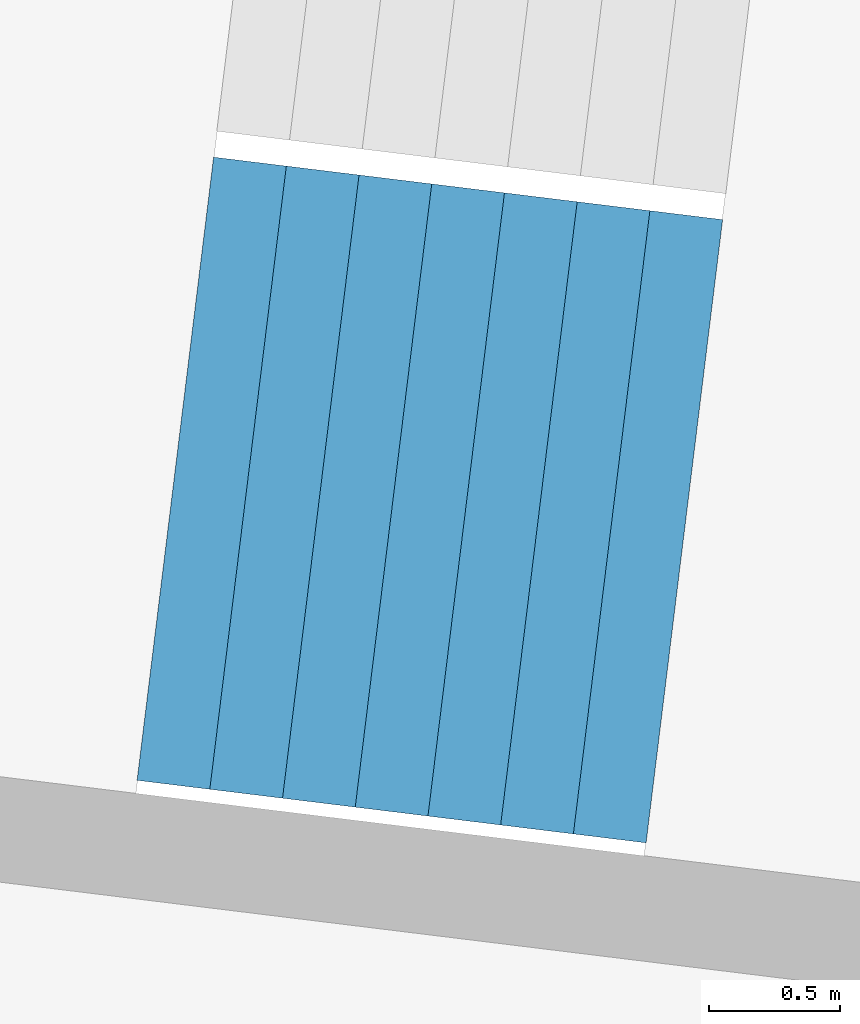
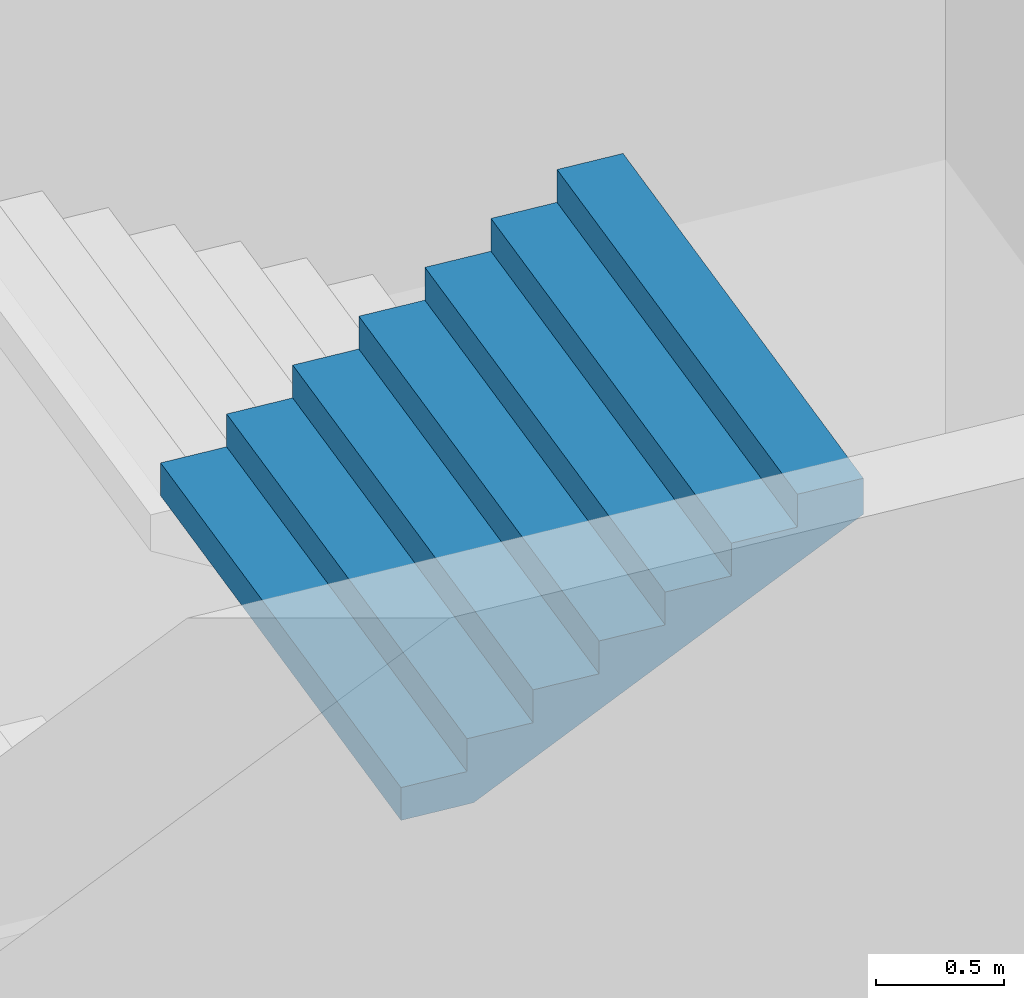
# One storey, part 28 of 73: 1 stair flight, 1 element without a shape of its own.
"""IFC4 building model written with IfcOpenShell, lengths in metres."""

import ifcopenshell
import ifcopenshell.guid

model = None  # the IFC model being written
_history = None  # IfcOwnerHistory: only IFC2X3 demands one
_inside = {}  # id of a spatial element -> (the spatial element, [elements in it])
_under = {}  # id of a project, library or spatial element -> (it, [spatial elements below it])
_declared = {}  # id of a project -> (the project, [libraries it declares])
_typed = {}  # id of a type object -> (the type object, [elements of that type])
_made_of = {}  # id of a material, layer set ... -> (it, [elements and type objects made of it])


def new_model(schema):
    """Start an empty IFC model of exactly this schema.

    Asked for "IFC4X3", IfcOpenShell would pick the latest addendum, in which some entities
    have other attributes; the version numbers below select the first issue.
    IFC2X3 requires an IfcOwnerHistory on every rooted entity: one is made here for all.
    """
    global model, _history
    if schema == "IFC4X3":
        model = ifcopenshell.file(schema_version=(4, 3, 0, 0))
    else:
        model = ifcopenshell.file(schema=schema)
    _inside.clear()
    _under.clear()
    _declared.clear()
    _typed.clear()
    _made_of.clear()
    _history = None
    if model.schema == "IFC2X3":
        org = make("IfcOrganization", Name="unknown")
        user = make(
            "IfcPersonAndOrganization",
            ThePerson=make("IfcPerson", FamilyName="unknown"),
            TheOrganization=org,
        )
        app = make(
            "IfcApplication",
            ApplicationDeveloper=org,
            Version="unknown",
            ApplicationFullName="unknown",
            ApplicationIdentifier="unknown",
        )
        _history = make(
            "IfcOwnerHistory",
            OwningUser=user,
            OwningApplication=app,
            ChangeAction="ADDED",
            CreationDate=0,
        )
    return model


def make(cls, **values):
    """One entity of the class cls with the attributes given. An attribute that is None is left unset."""
    return model.create_entity(
        cls, **{name: value for name, value in values.items() if value is not None}
    )


def rooted(cls, **values):
    """An entity with a GlobalId (a new one), such as an element, a storey or a relation."""
    return make(cls, GlobalId=ifcopenshell.guid.new(), OwnerHistory=_history, **values)


def si_unit(unit_type, name, prefix=None):
    """IfcSIUnit, for example si_unit("LENGTHUNIT", "METRE", prefix="MILLI")."""
    return make("IfcSIUnit", UnitType=unit_type, Prefix=prefix, Name=name)


def assignment(units):
    """IfcUnitAssignment: the units of a project."""
    return None if units is None else make("IfcUnitAssignment", Units=units)


def point(xyz):
    """IfcCartesianPoint."""
    return None if xyz is None else make("IfcCartesianPoint", Coordinates=xyz)


def direction(xyz):
    """IfcDirection."""
    return None if xyz is None else make("IfcDirection", DirectionRatios=xyz)


def frame(location, z_axis=None, x_axis=None):
    """IfcAxis2Placement3D, a coordinate frame: its origin and axes. An axis left out is left unset."""
    return make(
        "IfcAxis2Placement3D",
        Location=point(location),
        Axis=direction(z_axis),
        RefDirection=direction(x_axis),
    )


def origin():
    """The frame at (0, 0, 0) with its axes left unset."""
    return frame((0.0, 0.0, 0.0))


def place(relative_to, where):
    """IfcLocalPlacement: puts the frame where relative to a parent placement (None: the world)."""
    return make(
        "IfcLocalPlacement", PlacementRelTo=relative_to, RelativePlacement=where
    )


def context(
    kind, dimensions, precision=None, world=None, true_north=None, identifier=None
):
    """IfcGeometricRepresentationContext, for example the 3D "Model" context."""
    return make(
        "IfcGeometricRepresentationContext",
        ContextIdentifier=identifier,
        ContextType=kind,
        CoordinateSpaceDimension=dimensions,
        Precision=precision,
        WorldCoordinateSystem=world,
        TrueNorth=true_north,
    )


def subcontext(parent, identifier, kind, view, scale=None):
    """IfcGeometricRepresentationSubContext, for example "Body" below "Model"."""
    return make(
        "IfcGeometricRepresentationSubContext",
        ContextIdentifier=identifier,
        ContextType=kind,
        ParentContext=parent,
        TargetScale=scale,
        TargetView=view,
    )


def project(units=None, contexts=None):
    """IfcProject with its units and contexts."""
    return rooted(
        "IfcProject",
        Name="project",
        RepresentationContexts=contexts,
        UnitsInContext=assignment(units),
    )


def spatial(cls, under=None, at=None, **own):
    """A site, building, storey or space (cls), placed at a placement, below another one or the project."""
    s = rooted(cls, ObjectPlacement=at, **own)
    if under is not None:
        _under.setdefault(under.id(), (under, []))[1].append(s)
    return s


def point_list(points):
    """IfcCartesianPointList2D or 3D."""
    cls = (
        "IfcCartesianPointList2D" if len(points[0]) == 2 else "IfcCartesianPointList3D"
    )
    return make(cls, CoordList=points)


def triangles(points, corners, closed=None, point_numbers=None):
    """IfcTriangulatedFaceSet: each triangle names its three corners, points numbered from 1."""
    return make(
        "IfcTriangulatedFaceSet",
        Coordinates=point_list(points),
        Closed=closed,
        CoordIndex=corners,
        PnIndex=point_numbers,
    )


def shape(context_of_items, identifier, shape_type, items):
    """IfcShapeRepresentation: the items that make up one representation, for example the "Body"."""
    return make(
        "IfcShapeRepresentation",
        ContextOfItems=context_of_items,
        RepresentationIdentifier=identifier,
        RepresentationType=shape_type,
        Items=items,
    )


def material(Name=None, Category=None):
    """IfcMaterial."""
    return make("IfcMaterial", Name=Name, Category=Category)


def made_of(thing, what):
    """Note that an element or type object is made of a material, layer set ...; save() writes the relation."""
    if what is not None:
        _made_of.setdefault(what.id(), (what, []))[1].append(thing)
    return thing


def type_object(cls, material=None, **own):
    """A type object (cls), such as IfcWallType, which elements share."""
    return made_of(rooted(cls, **own), material)


def element(
    cls,
    number,
    at=None,
    inside=None,
    cuts=None,
    type_object=None,
    material=None,
    context=None,
    identifier="Body",
    shape_type=None,
    held_by="IfcProductDefinitionShape",
    body=None,
    shapes=None,
    **own,
):
    """One element of the class cls, such as IfcWall. Its Tag is "e" and its number.

    at: its placement. inside: the storey or other place that contains it. cuts: it is an
    opening in that element (IfcRelVoidsElement). A single representation is given by context,
    identifier, shape_type and body (its items); several are given by shapes. held_by: the class
    of the entity that holds the representations. save() writes the other relations.
    """
    e = rooted(cls, Tag="e%d" % number, ObjectPlacement=at, **own)
    if body is not None:
        shapes = [shape(context, identifier, shape_type, body)]
    if shapes is not None:
        e.Representation = make(held_by, Representations=shapes)
    if inside is not None:
        _inside.setdefault(inside.id(), (inside, []))[1].append(e)
    if cuts is not None:
        rooted(
            "IfcRelVoidsElement", RelatingBuildingElement=cuts, RelatedOpeningElement=e
        )
    if type_object is not None:
        _typed.setdefault(type_object.id(), (type_object, []))[1].append(e)
    return made_of(e, material)


def aggregate(whole, parts):
    """IfcRelAggregates: a whole, such as a stair, and the parts it consists of."""
    return rooted("IfcRelAggregates", RelatingObject=whole, RelatedObjects=parts)


def save(model, path):
    """Write the relations noted so far, then the file.

    IfcRelAggregates (storeys below a building ...), IfcRelContainedInSpatialStructure (elements
    in a storey), IfcRelDefinesByType, IfcRelAssociatesMaterial and IfcRelDeclares: one each for
    every whole, place, type object, material and project.
    """
    for whole, parts in _under.values():
        aggregate(whole, parts)
    for where, things in _inside.values():
        rooted(
            "IfcRelContainedInSpatialStructure",
            RelatedElements=things,
            RelatingStructure=where,
        )
    for kind, things in _typed.values():
        rooted("IfcRelDefinesByType", RelatedObjects=things, RelatingType=kind)
    for what, things in _made_of.values():
        rooted("IfcRelAssociatesMaterial", RelatedObjects=things, RelatingMaterial=what)
    for by, libraries in _declared.values():
        rooted("IfcRelDeclares", RelatingContext=by, RelatedDefinitions=libraries)
    model.write(path)


model = new_model("IFC4")

# Units and contexts
model_context = context("Model", 3, precision=1e-05, world=origin(), true_north=direction((0.0, 1.0)))
body_context = subcontext(model_context, "Body", "Model", "MODEL_VIEW")
ifc_project = project(units=[si_unit("LENGTHUNIT", "METRE"), si_unit("AREAUNIT", "SQUARE_METRE"), si_unit("VOLUMEUNIT", "CUBIC_METRE"), si_unit("PLANEANGLEUNIT", "RADIAN"), si_unit("MASSUNIT", "GRAM", prefix="KILO")], contexts=[model_context])

# Site, building, storey
site_placement = place(None, origin())
site = spatial("IfcSite", under=ifc_project, at=site_placement, CompositionType="ELEMENT")
building_placement = place(site_placement, origin())
building = spatial("IfcBuilding", under=site, at=building_placement, Name="Lantaw Convention Tower", CompositionType="ELEMENT")
storey_placement = place(building_placement, frame((0.0, 0.0, 27.0)))
storey = spatial("IfcBuildingStorey", under=building, at=storey_placement, Name="L04", CompositionType="ELEMENT", Elevation=27.0)

# Stair, stair flight
ifc_material = material(Name="Concrete C35/45", Category="concrete")
stair_type = type_object("IfcStairType", Name="Exit stair 2400 riser 156.25 in 4 flights", PredefinedType="HALF_TURN_STAIR", material=ifc_material)
stair_placement = place(storey_placement, origin())
stair = element("IfcStair", 1, at=stair_placement, inside=storey, type_object=stair_type, Name="Podium exit stair P9 L04", PredefinedType="HALF_TURN_STAIR")
stair_flight_type = type_object("IfcStairFlightType", Name="Stair flight 2400 riser 156.25", PredefinedType="STRAIGHT", material=ifc_material)
stair_flight_placement = place(storey_placement, frame((-40.2216796875, 3.67919921875, 3.75), z_axis=(0.0, 0.0, 1.0), x_axis=(0.992546151641, -0.121869343405, 0.0)))
stair_flight = element("IfcStairFlight", 2, at=stair_flight_placement, type_object=stair_flight_type, Name="P9 flight 4", NumberOfRisers=8, NumberOfTreads=7, PredefinedType="STRAIGHT", RiserHeight=0.15625, TreadLength=0.28, context=body_context, shape_type="Tessellation", body=[
    triangles([(0.0, 1.199951171875, 0.0), (0.0, 1.199951171875, 0.15625), (0.28, 1.199951171875, 0.0), (0.28, 1.199951171875, 0.15625), (0.28, 1.199951171875, 0.3125), (0.3076200632058044, 1.199951171875, 0.0), (0.3076200632058044, 1.199951171875, 0.3125), (0.56, 1.199951171875, 0.14083701830033238), (0.56, 1.199951171875, 0.3125), (0.56, 1.199951171875, 0.46875), (0.8400000000000001, 1.199951171875, 0.29708701830033235), (0.8400000000000001, 1.199951171875, 0.46875), (0.8400000000000001, 1.199951171875, 0.625), (1.12, 1.199951171875, 0.45333701830033235), (1.12, 1.199951171875, 0.625), (1.12, 1.199951171875, 0.78125), (1.4000000000000001, 1.199951171875, 0.6095870183003324), (1.4000000000000001, 1.199951171875, 0.78125), (1.4000000000000001, 1.199951171875, 0.9375), (1.6800000000000002, 1.199951171875, 0.7658370183003324), (1.6800000000000002, 1.199951171875, 0.9375), (1.6800000000000002, 1.199951171875, 1.09375), (1.9600000000000002, 1.199951171875, 0.9220870183003324), (1.9600000000000002, 1.199951171875, 1.09375), (0.0, -1.199951171875, 0.0), (0.0, -1.199951171875, 0.15625), (0.28, -1.199951171875, 0.0), (0.28, -1.199951171875, 0.15625), (0.28, -1.199951171875, 0.3125), (0.3076200632058044, -1.199951171875, 0.0), (0.3076200632058044, -1.199951171875, 0.3125), (0.56, -1.199951171875, 0.14083701830033238), (0.56, -1.199951171875, 0.3125), (0.56, -1.199951171875, 0.46875), (0.8400000000000001, -1.199951171875, 0.29708701830033235), (0.8400000000000001, -1.199951171875, 0.46875), (0.8400000000000001, -1.199951171875, 0.625), (1.12, -1.199951171875, 0.45333701830033235), (1.12, -1.199951171875, 0.625), (1.12, -1.199951171875, 0.78125), (1.4000000000000001, -1.199951171875, 0.6095870183003324), (1.4000000000000001, -1.199951171875, 0.78125), (1.4000000000000001, -1.199951171875, 0.9375), (1.6800000000000002, -1.199951171875, 0.7658370183003324), (1.6800000000000002, -1.199951171875, 0.9375), (1.6800000000000002, -1.199951171875, 1.09375), (1.9600000000000002, -1.199951171875, 0.9220870183003324), (1.9600000000000002, -1.199951171875, 1.09375), (0.0, 0.239990234375, 0.15625), (0.0, 0.239990234375, 0.0), (0.0, 0.1919921875, 0.15625), (0.0, 0.1919921875, 0.0), (0.0, 0.143994140625, 0.15625), (0.0, 0.143994140625, 0.0), (0.0, 0.09599609375, 0.15625), (0.0, 0.09599609375, 0.0), (0.0, 0.047998046875, 0.15625), (0.0, 0.047998046875, 0.0), (0.0, 0.0, 0.15625), (0.0, 0.0, 0.0), (0.0, -0.047998046875, 0.15625), (0.0, -0.047998046875, 0.0), (0.0, -0.09599609375, 0.15625), (0.0, -0.09599609375, 0.0), (0.0, -0.143994140625, 0.15625), (0.0, -0.143994140625, 0.0), (0.0, -0.1919921875, 0.15625), (0.0, -0.1919921875, 0.0), (0.0, -0.239990234375, 0.15625), (0.0, -0.239990234375, 0.0), (0.28, 0.239990234375, 0.3125), (0.28, 0.239990234375, 0.15625), (0.28, 0.1919921875, 0.3125), (0.28, 0.1919921875, 0.15625), (0.28, 0.143994140625, 0.3125), (0.28, 0.143994140625, 0.15625), (0.28, 0.09599609375, 0.3125), (0.28, 0.09599609375, 0.15625), (0.28, 0.047998046875, 0.3125), (0.28, 0.047998046875, 0.15625), (0.28, 0.0, 0.3125), (0.28, 0.0, 0.15625), (0.28, -0.047998046875, 0.3125), (0.28, -0.047998046875, 0.15625), (0.28, -0.09599609375, 0.3125), (0.28, -0.09599609375, 0.15625), (0.28, -0.143994140625, 0.3125), (0.28, -0.143994140625, 0.15625), (0.28, -0.1919921875, 0.3125), (0.28, -0.1919921875, 0.15625), (0.28, -0.239990234375, 0.3125), (0.28, -0.239990234375, 0.15625), (0.56, 0.239990234375, 0.46875), (0.56, 0.239990234375, 0.3125), (0.56, 0.1919921875, 0.46875), (0.56, 0.1919921875, 0.3125), (0.56, 0.143994140625, 0.46875), (0.56, 0.143994140625, 0.3125), (0.56, 0.09599609375, 0.46875), (0.56, 0.09599609375, 0.3125), (0.56, 0.047998046875, 0.46875), (0.56, 0.047998046875, 0.3125), (0.56, 0.0, 0.46875), (0.56, 0.0, 0.3125), (0.56, -0.047998046875, 0.46875), (0.56, -0.047998046875, 0.3125), (0.56, -0.09599609375, 0.46875), (0.56, -0.09599609375, 0.3125), (0.56, -0.143994140625, 0.46875), (0.56, -0.143994140625, 0.3125), (0.56, -0.1919921875, 0.46875), (0.56, -0.1919921875, 0.3125), (0.56, -0.239990234375, 0.46875), (0.56, -0.239990234375, 0.3125), (0.8400000000000001, 0.239990234375, 0.625), (0.8400000000000001, 0.239990234375, 0.46875), (0.8400000000000001, 0.1919921875, 0.625), (0.8400000000000001, 0.1919921875, 0.46875), (0.8400000000000001, 0.143994140625, 0.625), (0.8400000000000001, 0.143994140625, 0.46875), (0.8400000000000001, 0.09599609375, 0.625), (0.8400000000000001, 0.09599609375, 0.46875), (0.8400000000000001, 0.047998046875, 0.625), (0.8400000000000001, 0.047998046875, 0.46875), (0.8400000000000001, 0.0, 0.625), (0.8400000000000001, 0.0, 0.46875), (0.8400000000000001, -0.047998046875, 0.625), (0.8400000000000001, -0.047998046875, 0.46875), (0.8400000000000001, -0.09599609375, 0.625), (0.8400000000000001, -0.09599609375, 0.46875), (0.8400000000000001, -0.143994140625, 0.625), (0.8400000000000001, -0.143994140625, 0.46875), (0.8400000000000001, -0.1919921875, 0.625), (0.8400000000000001, -0.1919921875, 0.46875), (0.8400000000000001, -0.239990234375, 0.625), (0.8400000000000001, -0.239990234375, 0.46875), (1.12, 0.239990234375, 0.78125), (1.12, 0.239990234375, 0.625), (1.12, 0.1919921875, 0.78125), (1.12, 0.1919921875, 0.625), (1.12, 0.143994140625, 0.78125), (1.12, 0.143994140625, 0.625), (1.12, 0.09599609375, 0.78125), (1.12, 0.09599609375, 0.625), (1.12, 0.047998046875, 0.78125), (1.12, 0.047998046875, 0.625), (1.12, 0.0, 0.78125), (1.12, 0.0, 0.625), (1.12, -0.047998046875, 0.78125), (1.12, -0.047998046875, 0.625), (1.12, -0.09599609375, 0.78125), (1.12, -0.09599609375, 0.625), (1.12, -0.143994140625, 0.78125), (1.12, -0.143994140625, 0.625), (1.12, -0.1919921875, 0.78125), (1.12, -0.1919921875, 0.625), (1.12, -0.239990234375, 0.78125), (1.12, -0.239990234375, 0.625), (1.4000000000000001, 0.239990234375, 0.9375), (1.4000000000000001, 0.239990234375, 0.78125), (1.4000000000000001, 0.1919921875, 0.9375), (1.4000000000000001, 0.1919921875, 0.78125), (1.4000000000000001, 0.143994140625, 0.9375), (1.4000000000000001, 0.143994140625, 0.78125), (1.4000000000000001, 0.09599609375, 0.9375), (1.4000000000000001, 0.09599609375, 0.78125), (1.4000000000000001, 0.047998046875, 0.9375), (1.4000000000000001, 0.047998046875, 0.78125), (1.4000000000000001, 0.0, 0.9375), (1.4000000000000001, 0.0, 0.78125), (1.4000000000000001, -0.047998046875, 0.9375), (1.4000000000000001, -0.047998046875, 0.78125), (1.4000000000000001, -0.09599609375, 0.9375), (1.4000000000000001, -0.09599609375, 0.78125), (1.4000000000000001, -0.143994140625, 0.9375), (1.4000000000000001, -0.143994140625, 0.78125), (1.4000000000000001, -0.1919921875, 0.9375), (1.4000000000000001, -0.1919921875, 0.78125), (1.4000000000000001, -0.239990234375, 0.9375), (1.4000000000000001, -0.239990234375, 0.78125), (1.6800000000000002, 0.239990234375, 1.09375), (1.6800000000000002, 0.239990234375, 0.9375), (1.6800000000000002, 0.1919921875, 1.09375), (1.6800000000000002, 0.1919921875, 0.9375), (1.6800000000000002, 0.143994140625, 1.09375), (1.6800000000000002, 0.143994140625, 0.9375), (1.6800000000000002, 0.09599609375, 1.09375), (1.6800000000000002, 0.09599609375, 0.9375), (1.6800000000000002, 0.047998046875, 1.09375), (1.6800000000000002, 0.047998046875, 0.9375), (1.6800000000000002, 0.0, 1.09375), (1.6800000000000002, 0.0, 0.9375), (1.6800000000000002, -0.047998046875, 1.09375), (1.6800000000000002, -0.047998046875, 0.9375), (1.6800000000000002, -0.09599609375, 1.09375), (1.6800000000000002, -0.09599609375, 0.9375), (1.6800000000000002, -0.143994140625, 1.09375), (1.6800000000000002, -0.143994140625, 0.9375), (1.6800000000000002, -0.1919921875, 1.09375), (1.6800000000000002, -0.1919921875, 0.9375), (1.6800000000000002, -0.239990234375, 1.09375), (1.6800000000000002, -0.239990234375, 0.9375), (0.3076200632058044, 0.239990234375, 0.3125), (0.3076200632058044, 0.1919921875, 0.3125), (0.3076200632058044, 0.143994140625, 0.3125), (0.3076200632058044, 0.09599609375, 0.3125), (0.3076200632058044, 0.047998046875, 0.3125), (0.3076200632058044, 0.0, 0.3125), (0.3076200632058044, -0.047998046875, 0.3125), (0.3076200632058044, -0.09599609375, 0.3125), (0.3076200632058044, -0.143994140625, 0.3125), (0.3076200632058044, -0.1919921875, 0.3125), (0.3076200632058044, -0.239990234375, 0.3125), (1.9600000000000002, 0.239990234375, 1.09375), (1.9600000000000002, 0.1919921875, 1.09375), (1.9600000000000002, 0.143994140625, 1.09375), (1.9600000000000002, 0.09599609375, 1.09375), (1.9600000000000002, 0.047998046875, 1.09375), (1.9600000000000002, 0.0, 1.09375), (1.9600000000000002, -0.047998046875, 1.09375), (1.9600000000000002, -0.09599609375, 1.09375), (1.9600000000000002, -0.143994140625, 1.09375), (1.9600000000000002, -0.1919921875, 1.09375), (1.9600000000000002, -0.239990234375, 1.09375), (1.9600000000000002, 0.239990234375, 0.9220870183003324), (1.9600000000000002, 0.1919921875, 0.9220870183003324), (1.9600000000000002, 0.143994140625, 0.9220870183003324), (1.9600000000000002, 0.09599609375, 0.9220870183003324), (1.9600000000000002, 0.047998046875, 0.9220870183003324), (1.9600000000000002, 0.0, 0.9220870183003324), (1.9600000000000002, -0.047998046875, 0.9220870183003324), (1.9600000000000002, -0.09599609375, 0.9220870183003324), (1.9600000000000002, -0.143994140625, 0.9220870183003324), (1.9600000000000002, -0.1919921875, 0.9220870183003324), (1.9600000000000002, -0.239990234375, 0.9220870183003324), (1.6800000000000002, 0.239990234375, 0.7658370183003324), (1.6800000000000002, 0.1919921875, 0.7658370183003324), (1.6800000000000002, 0.143994140625, 0.7658370183003324), (1.6800000000000002, 0.09599609375, 0.7658370183003324), (1.6800000000000002, 0.047998046875, 0.7658370183003324), (1.6800000000000002, 0.0, 0.7658370183003324), (1.6800000000000002, -0.047998046875, 0.7658370183003324), (1.6800000000000002, -0.09599609375, 0.7658370183003324), (1.6800000000000002, -0.143994140625, 0.7658370183003324), (1.6800000000000002, -0.1919921875, 0.7658370183003324), (1.6800000000000002, -0.239990234375, 0.7658370183003324), (1.4000000000000001, 0.239990234375, 0.6095870183003324), (1.4000000000000001, 0.1919921875, 0.6095870183003324), (1.4000000000000001, 0.143994140625, 0.6095870183003324), (1.4000000000000001, 0.09599609375, 0.6095870183003324), (1.4000000000000001, 0.047998046875, 0.6095870183003324), (1.4000000000000001, 0.0, 0.6095870183003324), (1.4000000000000001, -0.047998046875, 0.6095870183003324), (1.4000000000000001, -0.09599609375, 0.6095870183003324), (1.4000000000000001, -0.143994140625, 0.6095870183003324), (1.4000000000000001, -0.1919921875, 0.6095870183003324), (1.4000000000000001, -0.239990234375, 0.6095870183003324), (1.12, 0.239990234375, 0.45333701830033235), (1.12, 0.1919921875, 0.45333701830033235), (1.12, 0.143994140625, 0.45333701830033235), (1.12, 0.09599609375, 0.45333701830033235), (1.12, 0.047998046875, 0.45333701830033235), (1.12, 0.0, 0.45333701830033235), (1.12, -0.047998046875, 0.45333701830033235), (1.12, -0.09599609375, 0.45333701830033235), (1.12, -0.143994140625, 0.45333701830033235), (1.12, -0.1919921875, 0.45333701830033235), (1.12, -0.239990234375, 0.45333701830033235), (0.8400000000000001, 0.239990234375, 0.29708701830033235), (0.8400000000000001, 0.1919921875, 0.29708701830033235), (0.8400000000000001, 0.143994140625, 0.29708701830033235), (0.8400000000000001, 0.09599609375, 0.29708701830033235), (0.8400000000000001, 0.047998046875, 0.29708701830033235), (0.8400000000000001, 0.0, 0.29708701830033235), (0.8400000000000001, -0.047998046875, 0.29708701830033235), (0.8400000000000001, -0.09599609375, 0.29708701830033235), (0.8400000000000001, -0.143994140625, 0.29708701830033235), (0.8400000000000001, -0.1919921875, 0.29708701830033235), (0.8400000000000001, -0.239990234375, 0.29708701830033235), (0.56, 0.239990234375, 0.14083701830033238), (0.56, 0.1919921875, 0.14083701830033238), (0.56, 0.143994140625, 0.14083701830033238), (0.56, 0.09599609375, 0.14083701830033238), (0.56, 0.047998046875, 0.14083701830033238), (0.56, 0.0, 0.14083701830033238), (0.56, -0.047998046875, 0.14083701830033238), (0.56, -0.09599609375, 0.14083701830033238), (0.56, -0.143994140625, 0.14083701830033238), (0.56, -0.1919921875, 0.14083701830033238), (0.56, -0.239990234375, 0.14083701830033238), (0.3076200632058044, 0.239990234375, 0.0), (0.3076200632058044, 0.1919921875, 0.0), (0.3076200632058044, 0.143994140625, 0.0), (0.3076200632058044, 0.09599609375, 0.0), (0.3076200632058044, 0.047998046875, 0.0), (0.3076200632058044, 0.0, 0.0), (0.3076200632058044, -0.047998046875, 0.0), (0.3076200632058044, -0.09599609375, 0.0), (0.3076200632058044, -0.143994140625, 0.0), (0.3076200632058044, -0.1919921875, 0.0), (0.3076200632058044, -0.239990234375, 0.0), (0.28, 0.239990234375, 0.0), (0.28, 0.1919921875, 0.0), (0.28, 0.143994140625, 0.0), (0.28, 0.09599609375, 0.0), (0.28, 0.047998046875, 0.0), (0.28, 0.0, 0.0), (0.28, -0.047998046875, 0.0), (0.28, -0.09599609375, 0.0), (0.28, -0.143994140625, 0.0), (0.28, -0.1919921875, 0.0), (0.28, -0.239990234375, 0.0)], [[1, 4, 3], [1, 2, 4], [3, 4, 6], [4, 7, 6], [4, 5, 7], [6, 9, 8], [6, 7, 9], [8, 9, 11], [9, 12, 11], [9, 10, 12], [11, 12, 14], [12, 15, 14], [12, 13, 15], [14, 15, 17], [15, 18, 17], [15, 16, 18], [17, 18, 20], [18, 21, 20], [18, 19, 21], [20, 21, 23], [21, 24, 23], [21, 22, 24], [25, 27, 28], [25, 28, 26], [27, 30, 28], [28, 30, 31], [28, 31, 29], [30, 32, 33], [30, 33, 31], [32, 35, 33], [33, 35, 36], [33, 36, 34], [35, 38, 36], [36, 38, 39], [36, 39, 37], [38, 41, 39], [39, 41, 42], [39, 42, 40], [41, 44, 42], [42, 44, 45], [42, 45, 43], [44, 47, 45], [45, 47, 48], [45, 48, 46], [1, 49, 2], [1, 50, 49], [50, 51, 49], [50, 52, 51], [52, 53, 51], [52, 54, 53], [54, 55, 53], [54, 56, 55], [56, 57, 55], [56, 58, 57], [58, 59, 57], [58, 60, 59], [60, 61, 59], [60, 62, 61], [62, 63, 61], [62, 64, 63], [64, 65, 63], [64, 66, 65], [66, 67, 65], [66, 68, 67], [68, 69, 67], [68, 70, 69], [70, 26, 69], [70, 25, 26], [4, 71, 5], [4, 72, 71], [72, 73, 71], [72, 74, 73], [74, 75, 73], [74, 76, 75], [76, 77, 75], [76, 78, 77], [78, 79, 77], [78, 80, 79], [80, 81, 79], [80, 82, 81], [82, 83, 81], [82, 84, 83], [84, 85, 83], [84, 86, 85], [86, 87, 85], [86, 88, 87], [88, 89, 87], [88, 90, 89], [90, 91, 89], [90, 92, 91], [92, 29, 91], [92, 28, 29], [9, 93, 10], [9, 94, 93], [94, 95, 93], [94, 96, 95], [96, 97, 95], [96, 98, 97], [98, 99, 97], [98, 100, 99], [100, 101, 99], [100, 102, 101], [102, 103, 101], [102, 104, 103], [104, 105, 103], [104, 106, 105], [106, 107, 105], [106, 108, 107], [108, 109, 107], [108, 110, 109], [110, 111, 109], [110, 112, 111], [112, 113, 111], [112, 114, 113], [114, 34, 113], [114, 33, 34], [12, 115, 13], [12, 116, 115], [116, 117, 115], [116, 118, 117], [118, 119, 117], [118, 120, 119], [120, 121, 119], [120, 122, 121], [122, 123, 121], [122, 124, 123], [124, 125, 123], [124, 126, 125], [126, 127, 125], [126, 128, 127], [128, 129, 127], [128, 130, 129], [130, 131, 129], [130, 132, 131], [132, 133, 131], [132, 134, 133], [134, 135, 133], [134, 136, 135], [136, 37, 135], [136, 36, 37], [15, 137, 16], [15, 138, 137], [138, 139, 137], [138, 140, 139], [140, 141, 139], [140, 142, 141], [142, 143, 141], [142, 144, 143], [144, 145, 143], [144, 146, 145], [146, 147, 145], [146, 148, 147], [148, 149, 147], [148, 150, 149], [150, 151, 149], [150, 152, 151], [152, 153, 151], [152, 154, 153], [154, 155, 153], [154, 156, 155], [156, 157, 155], [156, 158, 157], [158, 40, 157], [158, 39, 40], [18, 159, 19], [18, 160, 159], [160, 161, 159], [160, 162, 161], [162, 163, 161], [162, 164, 163], [164, 165, 163], [164, 166, 165], [166, 167, 165], [166, 168, 167], [168, 169, 167], [168, 170, 169], [170, 171, 169], [170, 172, 171], [172, 173, 171], [172, 174, 173], [174, 175, 173], [174, 176, 175], [176, 177, 175], [176, 178, 177], [178, 179, 177], [178, 180, 179], [180, 43, 179], [180, 42, 43], [21, 181, 22], [21, 182, 181], [182, 183, 181], [182, 184, 183], [184, 185, 183], [184, 186, 185], [186, 187, 185], [186, 188, 187], [188, 189, 187], [188, 190, 189], [190, 191, 189], [190, 192, 191], [192, 193, 191], [192, 194, 193], [194, 195, 193], [194, 196, 195], [196, 197, 195], [196, 198, 197], [198, 199, 197], [198, 200, 199], [200, 201, 199], [200, 202, 201], [202, 46, 201], [202, 45, 46], [2, 72, 4], [2, 49, 72], [49, 74, 72], [49, 51, 74], [51, 76, 74], [51, 53, 76], [53, 78, 76], [53, 55, 78], [55, 80, 78], [55, 57, 80], [57, 82, 80], [57, 59, 82], [59, 84, 82], [59, 61, 84], [61, 86, 84], [61, 63, 86], [63, 88, 86], [63, 65, 88], [65, 90, 88], [65, 67, 90], [67, 92, 90], [67, 69, 92], [69, 28, 92], [69, 26, 28], [5, 203, 7], [5, 71, 203], [71, 204, 203], [71, 73, 204], [73, 205, 204], [73, 75, 205], [75, 206, 205], [75, 77, 206], [77, 207, 206], [77, 79, 207], [79, 208, 207], [79, 81, 208], [81, 209, 208], [81, 83, 209], [83, 210, 209], [83, 85, 210], [85, 211, 210], [85, 87, 211], [87, 212, 211], [87, 89, 212], [89, 213, 212], [89, 91, 213], [91, 31, 213], [91, 29, 31], [7, 94, 9], [7, 203, 94], [203, 96, 94], [203, 204, 96], [204, 98, 96], [204, 205, 98], [205, 100, 98], [205, 206, 100], [206, 102, 100], [206, 207, 102], [207, 104, 102], [207, 208, 104], [208, 106, 104], [208, 209, 106], [209, 108, 106], [209, 210, 108], [210, 110, 108], [210, 211, 110], [211, 112, 110], [211, 212, 112], [212, 114, 112], [212, 213, 114], [213, 33, 114], [213, 31, 33], [10, 116, 12], [10, 93, 116], [93, 118, 116], [93, 95, 118], [95, 120, 118], [95, 97, 120], [97, 122, 120], [97, 99, 122], [99, 124, 122], [99, 101, 124], [101, 126, 124], [101, 103, 126], [103, 128, 126], [103, 105, 128], [105, 130, 128], [105, 107, 130], [107, 132, 130], [107, 109, 132], [109, 134, 132], [109, 111, 134], [111, 136, 134], [111, 113, 136], [113, 36, 136], [113, 34, 36], [13, 138, 15], [13, 115, 138], [115, 140, 138], [115, 117, 140], [117, 142, 140], [117, 119, 142], [119, 144, 142], [119, 121, 144], [121, 146, 144], [121, 123, 146], [123, 148, 146], [123, 125, 148], [125, 150, 148], [125, 127, 150], [127, 152, 150], [127, 129, 152], [129, 154, 152], [129, 131, 154], [131, 156, 154], [131, 133, 156], [133, 158, 156], [133, 135, 158], [135, 39, 158], [135, 37, 39], [16, 160, 18], [16, 137, 160], [137, 162, 160], [137, 139, 162], [139, 164, 162], [139, 141, 164], [141, 166, 164], [141, 143, 166], [143, 168, 166], [143, 145, 168], [145, 170, 168], [145, 147, 170], [147, 172, 170], [147, 149, 172], [149, 174, 172], [149, 151, 174], [151, 176, 174], [151, 153, 176], [153, 178, 176], [153, 155, 178], [155, 180, 178], [155, 157, 180], [157, 42, 180], [157, 40, 42], [19, 182, 21], [19, 159, 182], [159, 184, 182], [159, 161, 184], [161, 186, 184], [161, 163, 186], [163, 188, 186], [163, 165, 188], [165, 190, 188], [165, 167, 190], [167, 192, 190], [167, 169, 192], [169, 194, 192], [169, 171, 194], [171, 196, 194], [171, 173, 196], [173, 198, 196], [173, 175, 198], [175, 200, 198], [175, 177, 200], [177, 202, 200], [177, 179, 202], [179, 45, 202], [179, 43, 45], [22, 214, 24], [22, 181, 214], [181, 215, 214], [181, 183, 215], [183, 216, 215], [183, 185, 216], [185, 217, 216], [185, 187, 217], [187, 218, 217], [187, 189, 218], [189, 219, 218], [189, 191, 219], [191, 220, 219], [191, 193, 220], [193, 221, 220], [193, 195, 221], [195, 222, 221], [195, 197, 222], [197, 223, 222], [197, 199, 223], [199, 224, 223], [199, 201, 224], [201, 48, 224], [201, 46, 48], [24, 225, 23], [24, 214, 225], [214, 226, 225], [214, 215, 226], [215, 227, 226], [215, 216, 227], [216, 228, 227], [216, 217, 228], [217, 229, 228], [217, 218, 229], [218, 230, 229], [218, 219, 230], [219, 231, 230], [219, 220, 231], [220, 232, 231], [220, 221, 232], [221, 233, 232], [221, 222, 233], [222, 234, 233], [222, 223, 234], [223, 235, 234], [223, 224, 235], [224, 47, 235], [224, 48, 47], [23, 236, 20], [23, 225, 236], [225, 237, 236], [225, 226, 237], [226, 238, 237], [226, 227, 238], [227, 239, 238], [227, 228, 239], [228, 240, 239], [228, 229, 240], [229, 241, 240], [229, 230, 241], [230, 242, 241], [230, 231, 242], [231, 243, 242], [231, 232, 243], [232, 244, 243], [232, 233, 244], [233, 245, 244], [233, 234, 245], [234, 246, 245], [234, 235, 246], [235, 44, 246], [235, 47, 44], [20, 247, 17], [20, 236, 247], [236, 248, 247], [236, 237, 248], [237, 249, 248], [237, 238, 249], [238, 250, 249], [238, 239, 250], [239, 251, 250], [239, 240, 251], [240, 252, 251], [240, 241, 252], [241, 253, 252], [241, 242, 253], [242, 254, 253], [242, 243, 254], [243, 255, 254], [243, 244, 255], [244, 256, 255], [244, 245, 256], [245, 257, 256], [245, 246, 257], [246, 41, 257], [246, 44, 41], [17, 258, 14], [17, 247, 258], [247, 259, 258], [247, 248, 259], [248, 260, 259], [248, 249, 260], [249, 261, 260], [249, 250, 261], [250, 262, 261], [250, 251, 262], [251, 263, 262], [251, 252, 263], [252, 264, 263], [252, 253, 264], [253, 265, 264], [253, 254, 265], [254, 266, 265], [254, 255, 266], [255, 267, 266], [255, 256, 267], [256, 268, 267], [256, 257, 268], [257, 38, 268], [257, 41, 38], [14, 269, 11], [14, 258, 269], [258, 270, 269], [258, 259, 270], [259, 271, 270], [259, 260, 271], [260, 272, 271], [260, 261, 272], [261, 273, 272], [261, 262, 273], [262, 274, 273], [262, 263, 274], [263, 275, 274], [263, 264, 275], [264, 276, 275], [264, 265, 276], [265, 277, 276], [265, 266, 277], [266, 278, 277], [266, 267, 278], [267, 279, 278], [267, 268, 279], [268, 35, 279], [268, 38, 35], [11, 280, 8], [11, 269, 280], [269, 281, 280], [269, 270, 281], [270, 282, 281], [270, 271, 282], [271, 283, 282], [271, 272, 283], [272, 284, 283], [272, 273, 284], [273, 285, 284], [273, 274, 285], [274, 286, 285], [274, 275, 286], [275, 287, 286], [275, 276, 287], [276, 288, 287], [276, 277, 288], [277, 289, 288], [277, 278, 289], [278, 290, 289], [278, 279, 290], [279, 32, 290], [279, 35, 32], [8, 291, 6], [8, 280, 291], [280, 292, 291], [280, 281, 292], [281, 293, 292], [281, 282, 293], [282, 294, 293], [282, 283, 294], [283, 295, 294], [283, 284, 295], [284, 296, 295], [284, 285, 296], [285, 297, 296], [285, 286, 297], [286, 298, 297], [286, 287, 298], [287, 299, 298], [287, 288, 299], [288, 300, 299], [288, 289, 300], [289, 301, 300], [289, 290, 301], [290, 30, 301], [290, 32, 30], [6, 302, 3], [6, 291, 302], [291, 303, 302], [291, 292, 303], [292, 304, 303], [292, 293, 304], [293, 305, 304], [293, 294, 305], [294, 306, 305], [294, 295, 306], [295, 307, 306], [295, 296, 307], [296, 308, 307], [296, 297, 308], [297, 309, 308], [297, 298, 309], [298, 310, 309], [298, 299, 310], [299, 311, 310], [299, 300, 311], [300, 312, 311], [300, 301, 312], [301, 27, 312], [301, 30, 27], [3, 50, 1], [3, 302, 50], [302, 52, 50], [302, 303, 52], [303, 54, 52], [303, 304, 54], [304, 56, 54], [304, 305, 56], [305, 58, 56], [305, 306, 58], [306, 60, 58], [306, 307, 60], [307, 62, 60], [307, 308, 62], [308, 64, 62], [308, 309, 64], [309, 66, 64], [309, 310, 66], [310, 68, 66], [310, 311, 68], [311, 70, 68], [311, 312, 70], [312, 25, 70], [312, 27, 25]], closed=True),
])
aggregate(stair, [stair_flight])

save(model, "model.ifc")
